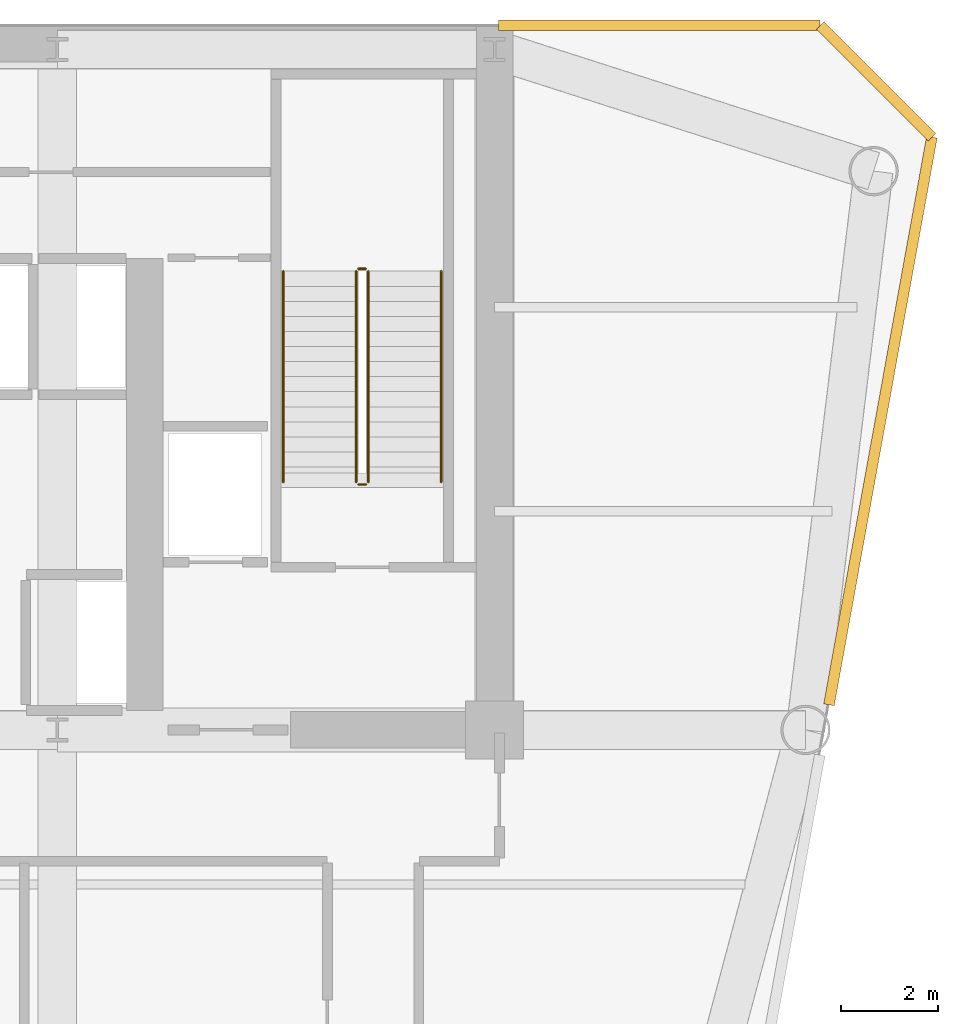
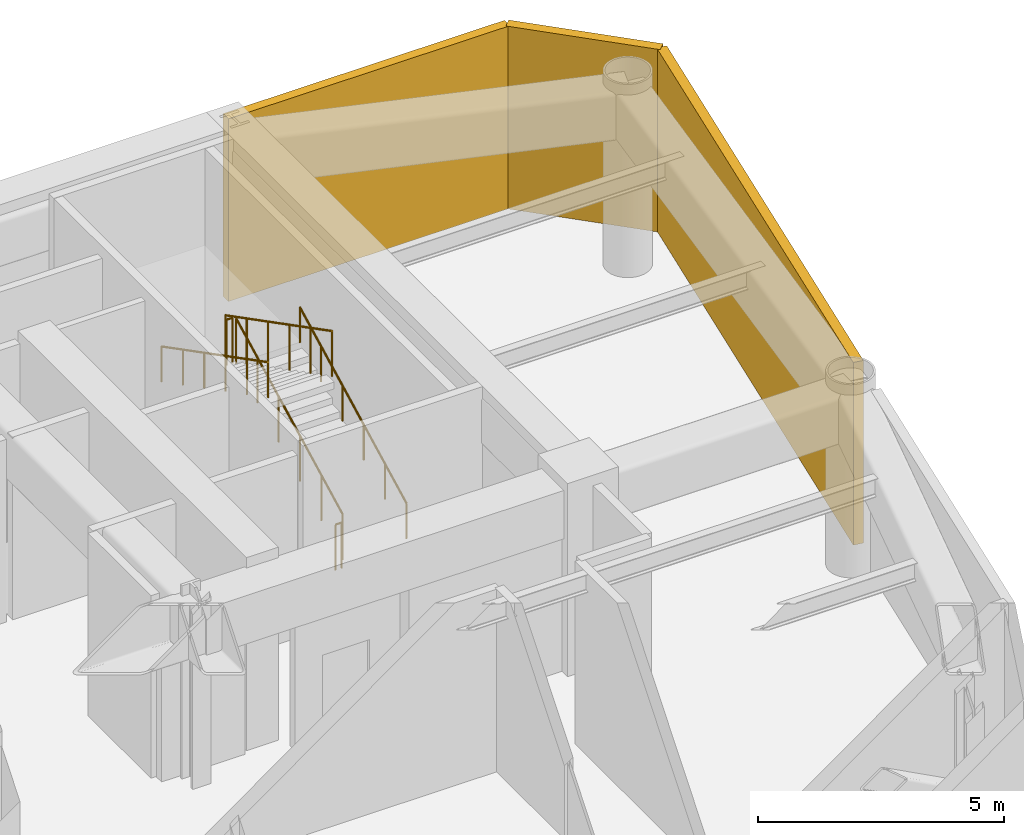
# One storey, part 10 of 10: 6 railings, 3 coverings.
"""IFC4 building model written with IfcOpenShell, lengths in metres."""

from ifc_helpers import new_model, si_unit, direction, frame, origin, origin_2d, place, context, subcontext, project, spatial, rectangle, circle, extrude, source, transform, mapped, material, layer, layer_set, type_object, element, save


model = new_model("IFC4")

# Units and contexts
model_context = context("Model", 3, precision=1e-05, world=origin(), true_north=direction((0.0, 1.0)))
body_context = subcontext(model_context, "Body", "Model", "MODEL_VIEW")
ifc_project = project(units=[si_unit("LENGTHUNIT", "METRE"), si_unit("AREAUNIT", "SQUARE_METRE"), si_unit("VOLUMEUNIT", "CUBIC_METRE"), si_unit("PLANEANGLEUNIT", "RADIAN"), si_unit("MASSUNIT", "GRAM", prefix="KILO")], contexts=[model_context])

# Site, building, storey
site_placement = place(None, origin())
site = spatial("IfcSite", under=ifc_project, at=site_placement, CompositionType="ELEMENT")
building_placement = place(site_placement, origin())
building = spatial("IfcBuilding", under=site, at=building_placement, Name="Vaeldorn Concourse Tower", CompositionType="ELEMENT")
storey_placement = place(building_placement, frame((0.0, 0.0, 149.0)))
storey = spatial("IfcBuildingStorey", under=building, at=storey_placement, Name="L38", CompositionType="ELEMENT", Elevation=149.0)

# Railings
ifc_material = material(Name="Anodised Bronze Aluminium", Category="aluminium")
railing_type_1 = type_object("IfcRailingType", Name="RL-STAIR-GUARD", PredefinedType="GUARDRAIL", material=ifc_material)
railing_1_placement = place(storey_placement, frame((51.39990234375, 41.60009765625, 0.159912109375)))
element("IfcRailing", 1, at=railing_1_placement, inside=storey, type_object=railing_type_1, Name="L38 ST-2 stair guard 1", PredefinedType="GUARDRAIL", context=body_context, shape_type="SweptSolid", body=[
    extrude(circle(Radius=0.02392578125, at=origin_2d()), frame((0.0, 0.0, 1.1259765625), z_axis=(0.0, 0.888614742027, 0.458654379956), x_axis=(-1.0, 0.0, 0.0)), (0.0, 0.0, 1.0), 4.8837890625),
    extrude(circle(Radius=0.02099609375, at=origin_2d()), origin(), (0.0, 0.0, 1.0), 1.101806640625),
    extrude(circle(Radius=0.02099609375, at=origin_2d()), frame((0.0, 0.867919921875, 0.447998046875)), (0.0, 0.0, 1.0), 1.101806640625),
    extrude(circle(Radius=0.02099609375, at=origin_2d()), frame((0.0, 1.73583984375, 0.89599609375)), (0.0, 0.0, 1.0), 1.101806640625),
    extrude(circle(Radius=0.02099609375, at=origin_2d()), frame((0.0, 2.60400390625, 1.343994140625)), (0.0, 0.0, 1.0), 1.101806640625),
    extrude(circle(Radius=0.02099609375, at=origin_2d()), frame((0.0, 3.471923828125, 1.7919921875)), (0.0, 0.0, 1.0), 1.101806640625),
    extrude(circle(Radius=0.02099609375, at=origin_2d()), frame((0.0, 4.33984375, 2.239990234375)), (0.0, 0.0, 1.0), 1.101806640625),
])
railing_2_placement = place(storey_placement, frame((51.35009765625, 45.989990234375, 2.39990234375)))
element("IfcRailing", 2, at=railing_2_placement, inside=storey, type_object=railing_type_1, Name="L38 ST-2 stair guard 2", PredefinedType="GUARDRAIL", context=body_context, shape_type="SweptSolid", body=[
    extrude(circle(Radius=0.02392578125, at=origin_2d()), frame((0.0, 0.0, 1.1259765625), z_axis=(-1.0, 0.0, 0.0), x_axis=(0.0, -1.0, 0.0)), (0.0, 0.0, 1.0), 0.150146484375),
    extrude(circle(Radius=0.02099609375, at=origin_2d()), origin(), (0.0, 0.0, 1.0), 1.101806640625),
    extrude(circle(Radius=0.02099609375, at=origin_2d()), frame((-0.150146484375, 0.0, 0.0)), (0.0, 0.0, 1.0), 1.101806640625),
])
railing_3_placement = place(storey_placement, frame((51.14990234375, 45.93994140625, 2.56005859375)))
element("IfcRailing", 3, at=railing_3_placement, inside=storey, type_object=railing_type_1, Name="L38 ST-2 stair guard 3", PredefinedType="GUARDRAIL", context=body_context, shape_type="SweptSolid", body=[
    extrude(circle(Radius=0.02392578125, at=origin_2d()), frame((0.0, 0.0, 1.1259765625), z_axis=(0.0, -0.888614742027, 0.458654379956), x_axis=(1.0, 0.0, 0.0)), (0.0, 0.0, 1.0), 4.8837890625),
    extrude(circle(Radius=0.02099609375, at=origin_2d()), origin(), (0.0, 0.0, 1.0), 1.101806640625),
    extrude(circle(Radius=0.02099609375, at=origin_2d()), frame((0.0, -0.867919921875, 0.447998046875)), (0.0, 0.0, 1.0), 1.101806640625),
    extrude(circle(Radius=0.02099609375, at=origin_2d()), frame((0.0, -1.73583984375, 0.89599609375)), (0.0, 0.0, 1.0), 1.101806640625),
    extrude(circle(Radius=0.02099609375, at=origin_2d()), frame((0.0, -2.60400390625, 1.343994140625)), (0.0, 0.0, 1.0), 1.101806640625),
    extrude(circle(Radius=0.02099609375, at=origin_2d()), frame((0.0, -3.471923828125, 1.7919921875)), (0.0, 0.0, 1.0), 1.101806640625),
    extrude(circle(Radius=0.02099609375, at=origin_2d()), frame((0.0, -4.33984375, 2.239990234375)), (0.0, 0.0, 1.0), 1.101806640625),
])
railing_4_placement = place(storey_placement, frame((51.35009765625, 41.550048828125, 0.0)))
element("IfcRailing", 4, at=railing_4_placement, inside=storey, type_object=railing_type_1, Name="L38 ST-2 stair guard 4", PredefinedType="GUARDRAIL", context=body_context, shape_type="SweptSolid", body=[
    extrude(circle(Radius=0.02392578125, at=origin_2d()), frame((0.0, 0.0, 1.1259765625), z_axis=(-1.0, 0.0, 0.0), x_axis=(0.0, -1.0, 0.0)), (0.0, 0.0, 1.0), 0.150146484375),
    extrude(circle(Radius=0.02099609375, at=origin_2d()), origin(), (0.0, 0.0, 1.0), 1.101806640625),
    extrude(circle(Radius=0.02099609375, at=origin_2d()), frame((-0.150146484375, 0.0, 0.0)), (0.0, 0.0, 1.0), 1.101806640625),
])
railing_type_2 = type_object("IfcRailingType", Name="RL-STAIR-HANDRAIL", PredefinedType="HANDRAIL", material=ifc_material)
railing_5_placement = place(storey_placement, frame((52.89990234375, 41.60009765625, 0.159912109375)))
element("IfcRailing", 5, at=railing_5_placement, inside=storey, type_object=railing_type_2, Name="L38 ST-2 stair handrail 1", PredefinedType="HANDRAIL", context=body_context, shape_type="SweptSolid", body=[
    extrude(circle(Radius=0.02392578125, at=origin_2d()), frame((0.0, 0.0, 0.8759765625), z_axis=(0.0, 0.888614742027, 0.458654379956), x_axis=(-1.0, 0.0, 0.0)), (0.0, 0.0, 1.0), 4.8837890625),
    extrude(circle(Radius=0.02099609375, at=origin_2d()), origin(), (0.0, 0.0, 1.0), 0.851806640625),
    extrude(circle(Radius=0.02099609375, at=origin_2d()), frame((0.0, 0.867919921875, 0.447998046875)), (0.0, 0.0, 1.0), 0.851806640625),
    extrude(circle(Radius=0.02099609375, at=origin_2d()), frame((0.0, 1.73583984375, 0.89599609375)), (0.0, 0.0, 1.0), 0.851806640625),
    extrude(circle(Radius=0.02099609375, at=origin_2d()), frame((0.0, 2.60400390625, 1.343994140625)), (0.0, 0.0, 1.0), 0.851806640625),
    extrude(circle(Radius=0.02099609375, at=origin_2d()), frame((0.0, 3.471923828125, 1.7919921875)), (0.0, 0.0, 1.0), 0.851806640625),
    extrude(circle(Radius=0.02099609375, at=origin_2d()), frame((0.0, 4.33984375, 2.239990234375)), (0.0, 0.0, 1.0), 0.851806640625),
])
railing_6_placement = place(storey_placement, frame((49.64990234375, 45.93994140625, 2.56005859375)))
element("IfcRailing", 6, at=railing_6_placement, inside=storey, type_object=railing_type_2, Name="L38 ST-2 stair handrail 2", PredefinedType="HANDRAIL", context=body_context, shape_type="SweptSolid", body=[
    extrude(circle(Radius=0.02392578125, at=origin_2d()), frame((0.0, 0.0, 0.8759765625), z_axis=(0.0, -0.888614742027, 0.458654379956), x_axis=(1.0, 0.0, 0.0)), (0.0, 0.0, 1.0), 4.8837890625),
    extrude(circle(Radius=0.02099609375, at=origin_2d()), origin(), (0.0, 0.0, 1.0), 0.851806640625),
    extrude(circle(Radius=0.02099609375, at=origin_2d()), frame((0.0, -0.867919921875, 0.447998046875)), (0.0, 0.0, 1.0), 0.851806640625),
    extrude(circle(Radius=0.02099609375, at=origin_2d()), frame((0.0, -1.73583984375, 0.89599609375)), (0.0, 0.0, 1.0), 0.851806640625),
    extrude(circle(Radius=0.02099609375, at=origin_2d()), frame((0.0, -2.60400390625, 1.343994140625)), (0.0, 0.0, 1.0), 0.851806640625),
    extrude(circle(Radius=0.02099609375, at=origin_2d()), frame((0.0, -3.471923828125, 1.7919921875)), (0.0, 0.0, 1.0), 0.851806640625),
    extrude(circle(Radius=0.02099609375, at=origin_2d()), frame((0.0, -4.33984375, 2.239990234375)), (0.0, 0.0, 1.0), 0.851806640625),
])

# Coverings
ifc_layer = layer(ifc_material, 1.60009765625)
ifc_layer_set = layer_set([ifc_layer], Name="Anodised Bronze Aluminium")
covering_type = type_object("IfcCoveringType", Name="SD-BRONZE-LOUVRE", PredefinedType="USERDEFINED", material=ifc_layer_set)
shared_shape_1 = source(origin(), body_context, "Body", "SweptSolid", [
    extrude(rectangle(XDim=3.252685546875, YDim=0.219970703125, at=origin_2d()), origin(), (0.0, 0.0, 1.0), 4.5400390625),
])
covering_1_placement = place(storey_placement, frame((61.85009765625, 49.85009765625, 0.0), z_axis=(0.0, 0.0, 1.0), x_axis=(-0.707106781187, 0.707106781187, 0.0)))
element("IfcCovering", 7, at=covering_1_placement, inside=storey, type_object=covering_type, Name="Refuge Band Bronze Acoustic Louvre L38-08.1", ObjectType="LOUVRE", PredefinedType="USERDEFINED", context=body_context, shape_type="MappedRepresentation", body=[
    mapped(shared_shape_1, transform((0.0, 0.0, 0.0), scale=1.0)),
])
shared_shape_2 = source(origin(), body_context, "Body", "SweptSolid", [
    extrude(rectangle(XDim=6.6201171875, YDim=0.219970703125, at=origin_2d()), origin(), (0.0, 0.0, 1.0), 4.5400390625),
])
covering_2_placement = place(storey_placement, frame((57.389892578125, 51.0, 0.0), z_axis=(0.0, 0.0, 1.0), x_axis=(-1.0, 0.0, 0.0)))
element("IfcCovering", 8, at=covering_2_placement, inside=storey, type_object=covering_type, Name="Refuge Band Bronze Acoustic Louvre L38-09.1", ObjectType="LOUVRE", PredefinedType="USERDEFINED", context=body_context, shape_type="MappedRepresentation", body=[
    mapped(shared_shape_2, transform((0.0, 0.0, 0.0), scale=1.0)),
])
shared_shape_3 = source(origin(), body_context, "Body", "SweptSolid", [
    extrude(rectangle(XDim=11.87255859375, YDim=0.219970703125, at=origin_2d()), origin(), (0.0, 0.0, 1.0), 4.5400390625),
])
covering_3_placement = place(storey_placement, frame((61.940673828125, 42.85888671875, 0.0), z_axis=(0.0, 0.0, 1.0), x_axis=(0.178441590414, 0.983950506281, 0.0)))
element("IfcCovering", 9, at=covering_3_placement, inside=storey, type_object=covering_type, Name="Refuge Band Bronze Acoustic Louvre L38-07.2", ObjectType="LOUVRE", PredefinedType="USERDEFINED", context=body_context, shape_type="MappedRepresentation", body=[
    mapped(shared_shape_3, transform((0.0, 0.0, 0.0), scale=1.0)),
])

save(model, "model.ifc")
